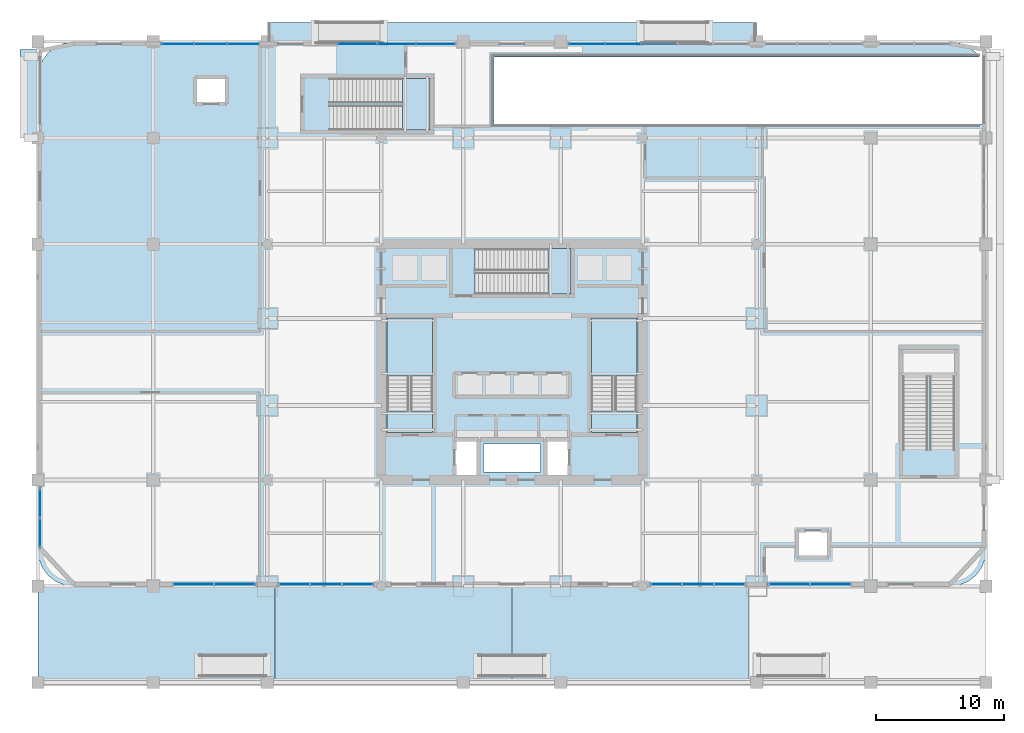
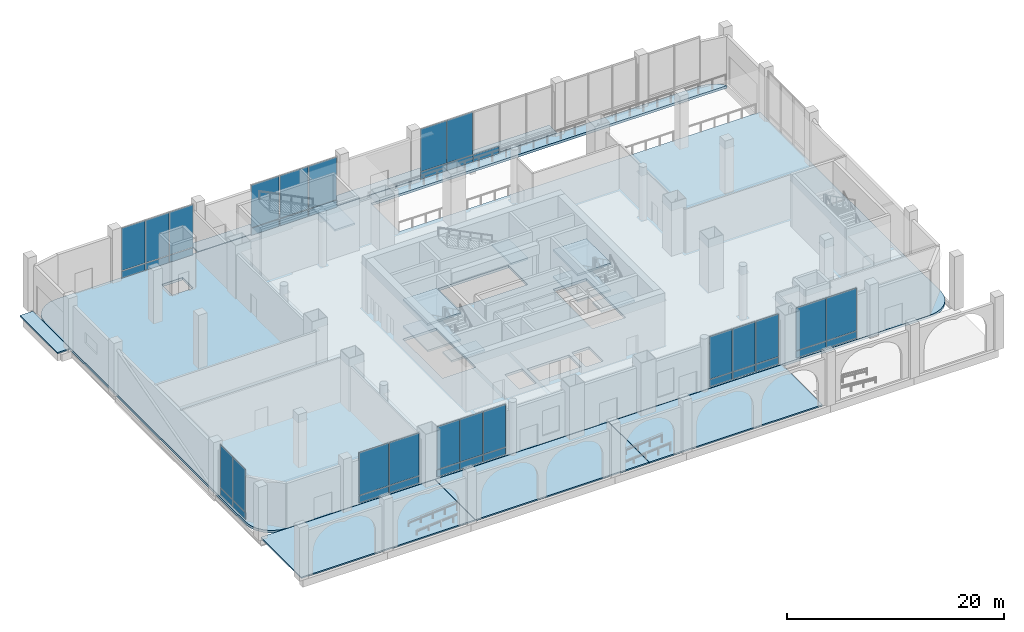
# One storey, part 17 of 32: 41 plates, 14 slabs, 12 elements without a shape of their own.
"""IFC4 building model written with IfcOpenShell, lengths in metres."""

from ifc_helpers import new_model, si_unit, direction, frame, origin, origin_2d, place, context, subcontext, project, spatial, polyline, rectangle, outline, extrude, material, layer, layer_set, type_object, element, aggregate, save


model = new_model("IFC4")

# Units and contexts
model_context = context("Model", 3, precision=1e-05, world=origin(), true_north=direction((0.0, 1.0)))
body_context = subcontext(model_context, "Body", "Model", "MODEL_VIEW")
ifc_project = project(units=[si_unit("LENGTHUNIT", "METRE"), si_unit("AREAUNIT", "SQUARE_METRE"), si_unit("VOLUMEUNIT", "CUBIC_METRE"), si_unit("PLANEANGLEUNIT", "RADIAN"), si_unit("MASSUNIT", "GRAM", prefix="KILO")], contexts=[model_context])

# Site, building, storey
site_placement = place(None, origin())
site = spatial("IfcSite", under=ifc_project, at=site_placement, CompositionType="ELEMENT")
building_placement = place(site_placement, origin())
building = spatial("IfcBuilding", under=site, at=building_placement, Name="Punatoya Terracotta Tower", CompositionType="ELEMENT")
storey_placement = place(building_placement, origin())
storey = spatial("IfcBuildingStorey", under=building, at=storey_placement, Name="L00", CompositionType="ELEMENT", Elevation=0.0)

# Curtain wall, plates
ifc_material_1 = material(Name="Aluminium 6063-T6 + Double Low-E Glass", Category="aluminium")
curtain_wall_type = type_object("IfcCurtainWallType", Name="CW-POD", PredefinedType="NOTDEFINED", material=ifc_material_1)
curtain_wall_1_placement = place(storey_placement, origin())
curtain_wall_1 = element("IfcCurtainWall", 1, at=curtain_wall_1_placement, inside=storey, type_object=curtain_wall_type, Name="L00 Curtain Wall CWP-L00-S1A", PredefinedType="NOTDEFINED")
ifc_material_2 = material(Name="Double Low-E Clear Vision Glass", Category="glass")
ifc_layer_1 = layer(ifc_material_2, 0.028076171875)
ifc_layer_set_1 = layer_set([ifc_layer_1], Name="Double Low-E Clear Vision Glass")
plate_type_1 = type_object("IfcPlateType", Name="PLT-GLZ-28", PredefinedType="CURTAIN_PANEL", material=ifc_layer_set_1)
plate_1_placement = place(storey_placement, frame((-24.875, -17.340087890625, 0.889892578125), z_axis=(0.0, 0.0, 1.0), x_axis=(1.0, 0.0, 0.0)))
plate_1 = element("IfcPlate", 2, at=plate_1_placement, type_object=plate_type_1, Name="CWP-L00-S1A Vision Glass Panel 1", PredefinedType="CURTAIN_PANEL", context=body_context, shape_type="SweptSolid", body=[
    extrude(rectangle(XDim=3.1650390625, YDim=0.028076171875, at=origin_2d()), origin(), (0.0, 0.0, 1.0), 4.7900390625),
])
plate_2_placement = place(storey_placement, frame((-21.625, -17.340087890625, 0.889892578125), z_axis=(0.0, 0.0, 1.0), x_axis=(1.0, 0.0, 0.0)))
plate_2 = element("IfcPlate", 3, at=plate_2_placement, type_object=plate_type_1, Name="CWP-L00-S1A Vision Glass Panel 2", PredefinedType="CURTAIN_PANEL", context=body_context, shape_type="SweptSolid", body=[
    extrude(rectangle(XDim=3.1650390625, YDim=0.028076171875, at=origin_2d()), origin(), (0.0, 0.0, 1.0), 4.7900390625),
])

curtain_wall_2_placement = place(storey_placement, origin())
curtain_wall_2 = element("IfcCurtainWall", 4, at=curtain_wall_2_placement, inside=storey, type_object=curtain_wall_type, Name="L00 Curtain Wall CWP-L00-S1B", PredefinedType="NOTDEFINED")
plate_3_placement = place(storey_placement, frame((-16.966796875, -17.340087890625, 0.889892578125), z_axis=(0.0, 0.0, 1.0), x_axis=(1.0, 0.0, 0.0)))
plate_3 = element("IfcPlate", 5, at=plate_3_placement, type_object=plate_type_1, Name="CWP-L00-S1B Vision Glass Panel 1", PredefinedType="CURTAIN_PANEL", context=body_context, shape_type="SweptSolid", body=[
    extrude(rectangle(XDim=2.381591796875, YDim=0.028076171875, at=origin_2d()), origin(), (0.0, 0.0, 1.0), 4.7900390625),
])
plate_4_placement = place(storey_placement, frame((-14.5, -17.340087890625, 0.889892578125), z_axis=(0.0, 0.0, 1.0), x_axis=(1.0, 0.0, 0.0)))
plate_4 = element("IfcPlate", 6, at=plate_4_placement, type_object=plate_type_1, Name="CWP-L00-S1B Vision Glass Panel 2", PredefinedType="CURTAIN_PANEL", context=body_context, shape_type="SweptSolid", body=[
    extrude(rectangle(XDim=2.381591796875, YDim=0.028076171875, at=origin_2d()), origin(), (0.0, 0.0, 1.0), 4.7900390625),
])
plate_5_placement = place(storey_placement, frame((-12.033203125, -17.340087890625, 0.889892578125), z_axis=(0.0, 0.0, 1.0), x_axis=(1.0, 0.0, 0.0)))
plate_5 = element("IfcPlate", 7, at=plate_5_placement, type_object=plate_type_1, Name="CWP-L00-S1B Vision Glass Panel 3", PredefinedType="CURTAIN_PANEL", context=body_context, shape_type="SweptSolid", body=[
    extrude(rectangle(XDim=2.381591796875, YDim=0.028076171875, at=origin_2d()), origin(), (0.0, 0.0, 1.0), 4.7900390625),
])

curtain_wall_3_placement = place(storey_placement, origin())
curtain_wall_3 = element("IfcCurtainWall", 8, at=curtain_wall_3_placement, inside=storey, type_object=curtain_wall_type, Name="L00 Curtain Wall CWP-L00-S2A", PredefinedType="NOTDEFINED")
plate_6_placement = place(storey_placement, frame((12.033203125, -17.340087890625, 0.889892578125), z_axis=(0.0, 0.0, 1.0), x_axis=(1.0, 0.0, 0.0)))
plate_6 = element("IfcPlate", 9, at=plate_6_placement, type_object=plate_type_1, Name="CWP-L00-S2A Vision Glass Panel 1", PredefinedType="CURTAIN_PANEL", context=body_context, shape_type="SweptSolid", body=[
    extrude(rectangle(XDim=2.381591796875, YDim=0.028076171875, at=origin_2d()), origin(), (0.0, 0.0, 1.0), 4.7900390625),
])
plate_7_placement = place(storey_placement, frame((14.5, -17.340087890625, 0.889892578125), z_axis=(0.0, 0.0, 1.0), x_axis=(1.0, 0.0, 0.0)))
plate_7 = element("IfcPlate", 10, at=plate_7_placement, type_object=plate_type_1, Name="CWP-L00-S2A Vision Glass Panel 2", PredefinedType="CURTAIN_PANEL", context=body_context, shape_type="SweptSolid", body=[
    extrude(rectangle(XDim=2.381591796875, YDim=0.028076171875, at=origin_2d()), origin(), (0.0, 0.0, 1.0), 4.7900390625),
])
plate_8_placement = place(storey_placement, frame((16.966796875, -17.340087890625, 0.889892578125), z_axis=(0.0, 0.0, 1.0), x_axis=(1.0, 0.0, 0.0)))
plate_8 = element("IfcPlate", 11, at=plate_8_placement, type_object=plate_type_1, Name="CWP-L00-S2A Vision Glass Panel 3", PredefinedType="CURTAIN_PANEL", context=body_context, shape_type="SweptSolid", body=[
    extrude(rectangle(XDim=2.381591796875, YDim=0.028076171875, at=origin_2d()), origin(), (0.0, 0.0, 1.0), 4.7900390625),
])

curtain_wall_4_placement = place(storey_placement, origin())
curtain_wall_4 = element("IfcCurtainWall", 12, at=curtain_wall_4_placement, inside=storey, type_object=curtain_wall_type, Name="L00 Curtain Wall CWP-L00-S2B", PredefinedType="NOTDEFINED")
plate_9_placement = place(storey_placement, frame((21.625, -17.340087890625, 0.889892578125), z_axis=(0.0, 0.0, 1.0), x_axis=(1.0, 0.0, 0.0)))
plate_9 = element("IfcPlate", 13, at=plate_9_placement, type_object=plate_type_1, Name="CWP-L00-S2B Vision Glass Panel 1", PredefinedType="CURTAIN_PANEL", context=body_context, shape_type="SweptSolid", body=[
    extrude(rectangle(XDim=3.1650390625, YDim=0.028076171875, at=origin_2d()), origin(), (0.0, 0.0, 1.0), 4.7900390625),
])
plate_10_placement = place(storey_placement, frame((24.875, -17.340087890625, 0.889892578125), z_axis=(0.0, 0.0, 1.0), x_axis=(1.0, 0.0, 0.0)))
plate_10 = element("IfcPlate", 14, at=plate_10_placement, type_object=plate_type_1, Name="CWP-L00-S2B Vision Glass Panel 2", PredefinedType="CURTAIN_PANEL", context=body_context, shape_type="SweptSolid", body=[
    extrude(rectangle(XDim=3.1650390625, YDim=0.028076171875, at=origin_2d()), origin(), (0.0, 0.0, 1.0), 4.7900390625),
])

curtain_wall_5_placement = place(storey_placement, origin())
curtain_wall_5 = element("IfcCurtainWall", 15, at=curtain_wall_5_placement, inside=storey, type_object=curtain_wall_type, Name="L00 Curtain Wall CWP-L00-N1A", PredefinedType="NOTDEFINED")
plate_11_placement = place(storey_placement, frame((-26.103271484375, 24.840087890625, 0.889892578125), z_axis=(0.0, 0.0, 1.0), x_axis=(1.0, 0.0, 0.0)))
plate_11 = element("IfcPlate", 16, at=plate_11_placement, type_object=plate_type_1, Name="CWP-L00-N1A Vision Glass Panel 1", PredefinedType="CURTAIN_PANEL", context=body_context, shape_type="SweptSolid", body=[
    extrude(rectangle(XDim=2.46826171875, YDim=0.028076171875, at=origin_2d()), origin(), (0.0, 0.0, 1.0), 4.7900390625),
])
plate_12_placement = place(storey_placement, frame((-23.550048828125, 24.840087890625, 0.889892578125), z_axis=(0.0, 0.0, 1.0), x_axis=(1.0, 0.0, 0.0)))
plate_12 = element("IfcPlate", 17, at=plate_12_placement, type_object=plate_type_1, Name="CWP-L00-N1A Vision Glass Panel 2", PredefinedType="CURTAIN_PANEL", context=body_context, shape_type="SweptSolid", body=[
    extrude(rectangle(XDim=2.46826171875, YDim=0.028076171875, at=origin_2d()), origin(), (0.0, 0.0, 1.0), 4.7900390625),
])
plate_13_placement = place(storey_placement, frame((-20.99658203125, 24.840087890625, 0.889892578125), z_axis=(0.0, 0.0, 1.0), x_axis=(1.0, 0.0, 0.0)))
plate_13 = element("IfcPlate", 18, at=plate_13_placement, type_object=plate_type_1, Name="CWP-L00-N1A Vision Glass Panel 3", PredefinedType="CURTAIN_PANEL", context=body_context, shape_type="SweptSolid", body=[
    extrude(rectangle(XDim=2.46826171875, YDim=0.028076171875, at=origin_2d()), origin(), (0.0, 0.0, 1.0), 4.7900390625),
])

curtain_wall_6_placement = place(storey_placement, origin())
curtain_wall_6 = element("IfcCurtainWall", 19, at=curtain_wall_6_placement, inside=storey, type_object=curtain_wall_type, Name="L00 Curtain Wall CWP-L00-N1B", PredefinedType="NOTDEFINED")
plate_14_placement = place(storey_placement, frame((-12.070068359375, 24.840087890625, 0.889892578125), z_axis=(0.0, 0.0, 1.0), x_axis=(1.0, 0.0, 0.0)))
plate_14 = element("IfcPlate", 20, at=plate_14_placement, type_object=plate_type_1, Name="CWP-L00-N1B Vision Glass Panel 1", PredefinedType="CURTAIN_PANEL", context=body_context, shape_type="SweptSolid", body=[
    extrude(rectangle(XDim=2.97509765625, YDim=0.028076171875, at=origin_2d()), origin(), (0.0, 0.0, 1.0), 4.7900390625),
])
plate_15_placement = place(storey_placement, frame((-9.010009765625, 24.840087890625, 0.889892578125), z_axis=(0.0, 0.0, 1.0), x_axis=(1.0, 0.0, 0.0)))
plate_15 = element("IfcPlate", 21, at=plate_15_placement, type_object=plate_type_1, Name="CWP-L00-N1B Vision Glass Panel 2", PredefinedType="CURTAIN_PANEL", context=body_context, shape_type="SweptSolid", body=[
    extrude(rectangle(XDim=2.97509765625, YDim=0.028076171875, at=origin_2d()), origin(), (0.0, 0.0, 1.0), 4.7900390625),
])
plate_16_placement = place(storey_placement, frame((-5.949951171875, 24.840087890625, 0.889892578125), z_axis=(0.0, 0.0, 1.0), x_axis=(1.0, 0.0, 0.0)))
plate_16 = element("IfcPlate", 22, at=plate_16_placement, type_object=plate_type_1, Name="CWP-L00-N1B Vision Glass Panel 3", PredefinedType="CURTAIN_PANEL", context=body_context, shape_type="SweptSolid", body=[
    extrude(rectangle(XDim=2.97509765625, YDim=0.028076171875, at=origin_2d()), origin(), (0.0, 0.0, 1.0), 4.7900390625),
])

curtain_wall_7_placement = place(storey_placement, origin())
curtain_wall_7 = element("IfcCurtainWall", 23, at=curtain_wall_7_placement, inside=storey, type_object=curtain_wall_type, Name="L00 Curtain Wall CWP-L00-N2-1", PredefinedType="NOTDEFINED")
plate_17_placement = place(storey_placement, frame((5.825927734375, 24.840087890625, 0.889892578125), z_axis=(0.0, 0.0, 1.0), x_axis=(1.0, 0.0, 0.0)))
plate_17 = element("IfcPlate", 24, at=plate_17_placement, type_object=plate_type_1, Name="CWP-L00-N2-1 Vision Glass Panel 1", PredefinedType="CURTAIN_PANEL", context=body_context, shape_type="SweptSolid", body=[
    extrude(rectangle(XDim=2.72705078125, YDim=0.028076171875, at=origin_2d()), origin(), (0.0, 0.0, 1.0), 4.7900390625),
])
plate_18_placement = place(storey_placement, frame((8.637939453125, 24.840087890625, 0.889892578125), z_axis=(0.0, 0.0, 1.0), x_axis=(1.0, 0.0, 0.0)))
plate_18 = element("IfcPlate", 25, at=plate_18_placement, type_object=plate_type_1, Name="CWP-L00-N2-1 Vision Glass Panel 2", PredefinedType="CURTAIN_PANEL", context=body_context, shape_type="SweptSolid", body=[
    extrude(rectangle(XDim=2.72705078125, YDim=0.028076171875, at=origin_2d()), origin(), (0.0, 0.0, 1.0), 4.7900390625),
])

curtain_wall_8_placement = place(storey_placement, origin())
curtain_wall_8 = element("IfcCurtainWall", 26, at=curtain_wall_8_placement, inside=storey, type_object=curtain_wall_type, Name="L00 Curtain Wall CWP-L00-W1", PredefinedType="NOTDEFINED")
plate_19_placement = place(storey_placement, frame((-36.840087890625, -13.330078125, 0.889892578125), z_axis=(0.0, 0.0, 1.0), x_axis=(0.0, 1.0, 0.0)))
plate_19 = element("IfcPlate", 27, at=plate_19_placement, type_object=plate_type_1, Name="CWP-L00-W1 Vision Glass Panel 1", PredefinedType="CURTAIN_PANEL", context=body_context, shape_type="SweptSolid", body=[
    extrude(rectangle(XDim=2.2548828125, YDim=0.028076171875, at=origin_2d()), origin(), (0.0, 0.0, 1.0), 4.7900390625),
])
plate_20_placement = place(storey_placement, frame((-36.840087890625, -10.989990234375, 0.889892578125), z_axis=(0.0, 0.0, 1.0), x_axis=(0.0, 1.0, 0.0)))
plate_20 = element("IfcPlate", 28, at=plate_20_placement, type_object=plate_type_1, Name="CWP-L00-W1 Vision Glass Panel 2", PredefinedType="CURTAIN_PANEL", context=body_context, shape_type="SweptSolid", body=[
    extrude(rectangle(XDim=2.2548828125, YDim=0.028076171875, at=origin_2d()), origin(), (0.0, 0.0, 1.0), 4.7900390625),
])

# Plate
ifc_material_3 = material(Name="Insulated Terracotta-Backed Spandrel Panel", Category="masonry")
ifc_layer_2 = layer(ifc_material_3, 0.044921875)
ifc_layer_set_2 = layer_set([ifc_layer_2], Name="Insulated Terracotta-Backed Spandrel Panel")
plate_type_2 = type_object("IfcPlateType", Name="PLT-SPN-45", PredefinedType="CURTAIN_PANEL", material=ifc_layer_set_2)
plate_21_placement = place(storey_placement, frame((-24.875, -17.340087890625, 0.0400390625), z_axis=(0.0, 0.0, 1.0), x_axis=(1.0, 0.0, 0.0)))
plate_21 = element("IfcPlate", 29, at=plate_21_placement, type_object=plate_type_2, Name="CWP-L00-S1A Terracotta Spandrel Panel 1", PredefinedType="CURTAIN_PANEL", context=body_context, shape_type="SweptSolid", body=[
    extrude(rectangle(XDim=3.1650390625, YDim=0.044921875, at=origin_2d()), origin(), (0.0, 0.0, 1.0), 0.77490234375),
])

plate_22_placement = place(storey_placement, frame((-21.625, -17.340087890625, 0.0400390625), z_axis=(0.0, 0.0, 1.0), x_axis=(1.0, 0.0, 0.0)))
plate_22 = element("IfcPlate", 30, at=plate_22_placement, type_object=plate_type_2, Name="CWP-L00-S1A Terracotta Spandrel Panel 2", PredefinedType="CURTAIN_PANEL", context=body_context, shape_type="SweptSolid", body=[
    extrude(rectangle(XDim=3.1650390625, YDim=0.044921875, at=origin_2d()), origin(), (0.0, 0.0, 1.0), 0.77490234375),
])

aggregate(curtain_wall_1, [plate_21, plate_1, plate_22, plate_2])

plate_23_placement = place(storey_placement, frame((-16.966796875, -17.340087890625, 0.0400390625), z_axis=(0.0, 0.0, 1.0), x_axis=(1.0, 0.0, 0.0)))
plate_23 = element("IfcPlate", 31, at=plate_23_placement, type_object=plate_type_2, Name="CWP-L00-S1B Terracotta Spandrel Panel 1", PredefinedType="CURTAIN_PANEL", context=body_context, shape_type="SweptSolid", body=[
    extrude(rectangle(XDim=2.381591796875, YDim=0.044921875, at=origin_2d()), origin(), (0.0, 0.0, 1.0), 0.77490234375),
])

plate_24_placement = place(storey_placement, frame((-14.5, -17.340087890625, 0.0400390625), z_axis=(0.0, 0.0, 1.0), x_axis=(1.0, 0.0, 0.0)))
plate_24 = element("IfcPlate", 32, at=plate_24_placement, type_object=plate_type_2, Name="CWP-L00-S1B Terracotta Spandrel Panel 2", PredefinedType="CURTAIN_PANEL", context=body_context, shape_type="SweptSolid", body=[
    extrude(rectangle(XDim=2.381591796875, YDim=0.044921875, at=origin_2d()), origin(), (0.0, 0.0, 1.0), 0.77490234375),
])

plate_25_placement = place(storey_placement, frame((-12.033203125, -17.340087890625, 0.0400390625), z_axis=(0.0, 0.0, 1.0), x_axis=(1.0, 0.0, 0.0)))
plate_25 = element("IfcPlate", 33, at=plate_25_placement, type_object=plate_type_2, Name="CWP-L00-S1B Terracotta Spandrel Panel 3", PredefinedType="CURTAIN_PANEL", context=body_context, shape_type="SweptSolid", body=[
    extrude(rectangle(XDim=2.381591796875, YDim=0.044921875, at=origin_2d()), origin(), (0.0, 0.0, 1.0), 0.77490234375),
])

aggregate(curtain_wall_2, [plate_23, plate_3, plate_24, plate_4, plate_25, plate_5])

plate_26_placement = place(storey_placement, frame((12.033203125, -17.340087890625, 0.0400390625), z_axis=(0.0, 0.0, 1.0), x_axis=(1.0, 0.0, 0.0)))
plate_26 = element("IfcPlate", 34, at=plate_26_placement, type_object=plate_type_2, Name="CWP-L00-S2A Terracotta Spandrel Panel 1", PredefinedType="CURTAIN_PANEL", context=body_context, shape_type="SweptSolid", body=[
    extrude(rectangle(XDim=2.381591796875, YDim=0.044921875, at=origin_2d()), origin(), (0.0, 0.0, 1.0), 0.77490234375),
])

plate_27_placement = place(storey_placement, frame((14.5, -17.340087890625, 0.0400390625), z_axis=(0.0, 0.0, 1.0), x_axis=(1.0, 0.0, 0.0)))
plate_27 = element("IfcPlate", 35, at=plate_27_placement, type_object=plate_type_2, Name="CWP-L00-S2A Terracotta Spandrel Panel 2", PredefinedType="CURTAIN_PANEL", context=body_context, shape_type="SweptSolid", body=[
    extrude(rectangle(XDim=2.381591796875, YDim=0.044921875, at=origin_2d()), origin(), (0.0, 0.0, 1.0), 0.77490234375),
])

plate_28_placement = place(storey_placement, frame((16.966796875, -17.340087890625, 0.0400390625), z_axis=(0.0, 0.0, 1.0), x_axis=(1.0, 0.0, 0.0)))
plate_28 = element("IfcPlate", 36, at=plate_28_placement, type_object=plate_type_2, Name="CWP-L00-S2A Terracotta Spandrel Panel 3", PredefinedType="CURTAIN_PANEL", context=body_context, shape_type="SweptSolid", body=[
    extrude(rectangle(XDim=2.381591796875, YDim=0.044921875, at=origin_2d()), origin(), (0.0, 0.0, 1.0), 0.77490234375),
])

aggregate(curtain_wall_3, [plate_26, plate_6, plate_27, plate_7, plate_28, plate_8])

plate_29_placement = place(storey_placement, frame((21.625, -17.340087890625, 0.0400390625), z_axis=(0.0, 0.0, 1.0), x_axis=(1.0, 0.0, 0.0)))
plate_29 = element("IfcPlate", 37, at=plate_29_placement, type_object=plate_type_2, Name="CWP-L00-S2B Terracotta Spandrel Panel 1", PredefinedType="CURTAIN_PANEL", context=body_context, shape_type="SweptSolid", body=[
    extrude(rectangle(XDim=3.1650390625, YDim=0.044921875, at=origin_2d()), origin(), (0.0, 0.0, 1.0), 0.77490234375),
])

plate_30_placement = place(storey_placement, frame((24.875, -17.340087890625, 0.0400390625), z_axis=(0.0, 0.0, 1.0), x_axis=(1.0, 0.0, 0.0)))
plate_30 = element("IfcPlate", 38, at=plate_30_placement, type_object=plate_type_2, Name="CWP-L00-S2B Terracotta Spandrel Panel 2", PredefinedType="CURTAIN_PANEL", context=body_context, shape_type="SweptSolid", body=[
    extrude(rectangle(XDim=3.1650390625, YDim=0.044921875, at=origin_2d()), origin(), (0.0, 0.0, 1.0), 0.77490234375),
])

aggregate(curtain_wall_4, [plate_29, plate_9, plate_30, plate_10])

plate_31_placement = place(storey_placement, frame((-26.103271484375, 24.840087890625, 0.0400390625), z_axis=(0.0, 0.0, 1.0), x_axis=(1.0, 0.0, 0.0)))
plate_31 = element("IfcPlate", 39, at=plate_31_placement, type_object=plate_type_2, Name="CWP-L00-N1A Terracotta Spandrel Panel 1", PredefinedType="CURTAIN_PANEL", context=body_context, shape_type="SweptSolid", body=[
    extrude(rectangle(XDim=2.46826171875, YDim=0.044921875, at=origin_2d()), origin(), (0.0, 0.0, 1.0), 0.77490234375),
])

plate_32_placement = place(storey_placement, frame((-23.550048828125, 24.840087890625, 0.0400390625), z_axis=(0.0, 0.0, 1.0), x_axis=(1.0, 0.0, 0.0)))
plate_32 = element("IfcPlate", 40, at=plate_32_placement, type_object=plate_type_2, Name="CWP-L00-N1A Terracotta Spandrel Panel 2", PredefinedType="CURTAIN_PANEL", context=body_context, shape_type="SweptSolid", body=[
    extrude(rectangle(XDim=2.46826171875, YDim=0.044921875, at=origin_2d()), origin(), (0.0, 0.0, 1.0), 0.77490234375),
])

plate_33_placement = place(storey_placement, frame((-20.99658203125, 24.840087890625, 0.0400390625), z_axis=(0.0, 0.0, 1.0), x_axis=(1.0, 0.0, 0.0)))
plate_33 = element("IfcPlate", 41, at=plate_33_placement, type_object=plate_type_2, Name="CWP-L00-N1A Terracotta Spandrel Panel 3", PredefinedType="CURTAIN_PANEL", context=body_context, shape_type="SweptSolid", body=[
    extrude(rectangle(XDim=2.46826171875, YDim=0.044921875, at=origin_2d()), origin(), (0.0, 0.0, 1.0), 0.77490234375),
])

aggregate(curtain_wall_5, [plate_31, plate_11, plate_32, plate_12, plate_33, plate_13])

plate_34_placement = place(storey_placement, frame((-12.070068359375, 24.840087890625, 0.0400390625), z_axis=(0.0, 0.0, 1.0), x_axis=(1.0, 0.0, 0.0)))
plate_34 = element("IfcPlate", 42, at=plate_34_placement, type_object=plate_type_2, Name="CWP-L00-N1B Terracotta Spandrel Panel 1", PredefinedType="CURTAIN_PANEL", context=body_context, shape_type="SweptSolid", body=[
    extrude(rectangle(XDim=2.97509765625, YDim=0.044921875, at=origin_2d()), origin(), (0.0, 0.0, 1.0), 0.77490234375),
])

plate_35_placement = place(storey_placement, frame((-9.010009765625, 24.840087890625, 0.0400390625), z_axis=(0.0, 0.0, 1.0), x_axis=(1.0, 0.0, 0.0)))
plate_35 = element("IfcPlate", 43, at=plate_35_placement, type_object=plate_type_2, Name="CWP-L00-N1B Terracotta Spandrel Panel 2", PredefinedType="CURTAIN_PANEL", context=body_context, shape_type="SweptSolid", body=[
    extrude(rectangle(XDim=2.97509765625, YDim=0.044921875, at=origin_2d()), origin(), (0.0, 0.0, 1.0), 0.77490234375),
])

plate_36_placement = place(storey_placement, frame((-5.949951171875, 24.840087890625, 0.0400390625), z_axis=(0.0, 0.0, 1.0), x_axis=(1.0, 0.0, 0.0)))
plate_36 = element("IfcPlate", 44, at=plate_36_placement, type_object=plate_type_2, Name="CWP-L00-N1B Terracotta Spandrel Panel 3", PredefinedType="CURTAIN_PANEL", context=body_context, shape_type="SweptSolid", body=[
    extrude(rectangle(XDim=2.97509765625, YDim=0.044921875, at=origin_2d()), origin(), (0.0, 0.0, 1.0), 0.77490234375),
])

aggregate(curtain_wall_6, [plate_34, plate_14, plate_35, plate_15, plate_36, plate_16])

plate_37_placement = place(storey_placement, frame((5.825927734375, 24.840087890625, 0.0400390625), z_axis=(0.0, 0.0, 1.0), x_axis=(1.0, 0.0, 0.0)))
plate_37 = element("IfcPlate", 45, at=plate_37_placement, type_object=plate_type_2, Name="CWP-L00-N2-1 Terracotta Spandrel Panel 1", PredefinedType="CURTAIN_PANEL", context=body_context, shape_type="SweptSolid", body=[
    extrude(rectangle(XDim=2.72705078125, YDim=0.044921875, at=origin_2d()), origin(), (0.0, 0.0, 1.0), 0.77490234375),
])

plate_38_placement = place(storey_placement, frame((8.637939453125, 24.840087890625, 0.0400390625), z_axis=(0.0, 0.0, 1.0), x_axis=(1.0, 0.0, 0.0)))
plate_38 = element("IfcPlate", 46, at=plate_38_placement, type_object=plate_type_2, Name="CWP-L00-N2-1 Terracotta Spandrel Panel 2", PredefinedType="CURTAIN_PANEL", context=body_context, shape_type="SweptSolid", body=[
    extrude(rectangle(XDim=2.72705078125, YDim=0.044921875, at=origin_2d()), origin(), (0.0, 0.0, 1.0), 0.77490234375),
])

plate_39_placement = place(storey_placement, frame((11.449951171875, 24.840087890625, 0.0400390625), z_axis=(0.0, 0.0, 1.0), x_axis=(1.0, 0.0, 0.0)))
plate_39 = element("IfcPlate", 47, at=plate_39_placement, type_object=plate_type_2, Name="CWP-L00-N2-1 Terracotta Spandrel Panel 3", PredefinedType="CURTAIN_PANEL", context=body_context, shape_type="SweptSolid", body=[
    extrude(rectangle(XDim=2.72705078125, YDim=0.044921875, at=origin_2d()), origin(), (0.0, 0.0, 1.0), 0.77490234375),
])

aggregate(curtain_wall_7, [plate_37, plate_17, plate_38, plate_18, plate_39])

plate_40_placement = place(storey_placement, frame((-36.840087890625, -13.330078125, 0.0400390625), z_axis=(0.0, 0.0, 1.0), x_axis=(0.0, 1.0, 0.0)))
plate_40 = element("IfcPlate", 48, at=plate_40_placement, type_object=plate_type_2, Name="CWP-L00-W1 Terracotta Spandrel Panel 1", PredefinedType="CURTAIN_PANEL", context=body_context, shape_type="SweptSolid", body=[
    extrude(rectangle(XDim=2.2548828125, YDim=0.044921875, at=origin_2d()), origin(), (0.0, 0.0, 1.0), 0.77490234375),
])

plate_41_placement = place(storey_placement, frame((-36.840087890625, -10.989990234375, 0.0400390625), z_axis=(0.0, 0.0, 1.0), x_axis=(0.0, 1.0, 0.0)))
plate_41 = element("IfcPlate", 49, at=plate_41_placement, type_object=plate_type_2, Name="CWP-L00-W1 Terracotta Spandrel Panel 2", PredefinedType="CURTAIN_PANEL", context=body_context, shape_type="SweptSolid", body=[
    extrude(rectangle(XDim=2.2548828125, YDim=0.044921875, at=origin_2d()), origin(), (0.0, 0.0, 1.0), 0.77490234375),
])

aggregate(curtain_wall_8, [plate_40, plate_19, plate_41, plate_20])

# Stair, slab
ifc_material_4 = material(Name="Concrete C40/50", Category="concrete")
stair_type_1 = type_object("IfcStairType", Name="STR-TER-1450", PredefinedType="HALF_TURN_STAIR", material=ifc_material_4)
stair_1_placement = place(storey_placement, origin())
stair_1 = element("IfcStair", 50, at=stair_1_placement, inside=storey, type_object=stair_type_1, Name="L00 Protected Core Exit Stair ST-3", PredefinedType="HALF_TURN_STAIR")
ifc_layer_3 = layer(ifc_material_4, 0.1650390625)
ifc_layer_set_3 = layer_set([ifc_layer_3], Name="Concrete C40/50")
slab_type_1 = type_object("IfcSlabType", Name="SLB-LND-165", PredefinedType="LANDING", material=ifc_layer_set_3)
slab_1_placement = place(storey_placement, frame((0.0, 0.0, 2.800048828125)))
slab_1 = element("IfcSlab", 51, at=slab_1_placement, type_object=slab_type_1, Name="ST-3 landing 1", PredefinedType="LANDING", context=body_context, shape_type="SweptSolid", body=[
    extrude(outline(polyline([(2.800048828125, 5.300048828125), (4.60009765625, 5.300048828125), (4.60009765625, 8.85009765625), (2.800048828125, 8.85009765625), (2.800048828125, 5.300048828125)])), origin(), (0.0, 0.0, 1.0), 0.199951171875),
])
aggregate(stair_1, [slab_1])

# Stair, slabs
stair_type_2 = type_object("IfcStairType", Name="STR-CORE-1550", PredefinedType="HALF_TURN_STAIR", material=ifc_material_4)
stair_2_placement = place(storey_placement, origin())
stair_2 = element("IfcStair", 52, at=stair_2_placement, inside=storey, type_object=stair_type_2, Name="L00 Protected Core Exit Stair ST-1", PredefinedType="HALF_TURN_STAIR")
ifc_layer_4 = layer(ifc_material_4, 0.179931640625)
ifc_layer_set_4 = layer_set([ifc_layer_4], Name="Concrete C40/50")
slab_type_2 = type_object("IfcSlabType", Name="SLB-LND-180", PredefinedType="LANDING", material=ifc_layer_set_4)
slab_2_placement = place(storey_placement, frame((0.0, 0.0, 1.300048828125)))
slab_2 = element("IfcSlab", 53, at=slab_2_placement, type_object=slab_type_2, Name="ST-1 landing 1", PredefinedType="LANDING", context=body_context, shape_type="SweptSolid", body=[
    extrude(outline(polyline([(-6.199951171875, -1.10009765625), (-6.199951171875, 3.449951171875), (-9.75, 3.449951171875), (-9.75, -1.10009765625), (-6.199951171875, -1.10009765625)])), origin(), (0.0, 0.0, 1.0), 0.199951171875),
])
slab_3_placement = place(storey_placement, frame((0.0, 0.0, 2.800048828125)))
slab_3 = element("IfcSlab", 54, at=slab_3_placement, type_object=slab_type_2, Name="ST-1 landing 2", PredefinedType="LANDING", context=body_context, shape_type="SweptSolid", body=[
    extrude(outline(polyline([(-6.199951171875, -5.5), (-6.199951171875, -3.800048828125), (-9.75, -3.800048828125), (-9.75, -5.5), (-6.199951171875, -5.5)])), origin(), (0.0, 0.0, 1.0), 0.199951171875),
])
slab_4_placement = place(storey_placement, frame((0.0, 0.0, 4.300048828125)))
slab_4 = element("IfcSlab", 55, at=slab_4_placement, type_object=slab_type_2, Name="ST-1 landing 3", PredefinedType="LANDING", context=body_context, shape_type="SweptSolid", body=[
    extrude(outline(polyline([(-6.199951171875, -1.10009765625), (-6.199951171875, 3.449951171875), (-9.75, 3.449951171875), (-9.75, -1.10009765625), (-6.199951171875, -1.10009765625)])), origin(), (0.0, 0.0, 1.0), 0.199951171875),
])
aggregate(stair_2, [slab_2, slab_3, slab_4])

stair_type_3 = type_object("IfcStairType", Name="STR-LOB-1650", PredefinedType="HALF_TURN_STAIR", material=ifc_material_4)
stair_3_placement = place(storey_placement, origin())
stair_3 = element("IfcStair", 56, at=stair_3_placement, inside=storey, type_object=stair_type_3, Name="L00 Protected Core Exit Stair ST-2", PredefinedType="HALF_TURN_STAIR")
slab_5_placement = place(storey_placement, frame((0.0, 0.0, 1.300048828125)))
slab_5 = element("IfcSlab", 57, at=slab_5_placement, type_object=slab_type_2, Name="ST-2 landing 1", PredefinedType="LANDING", context=body_context, shape_type="SweptSolid", body=[
    extrude(outline(polyline([(9.75, -1.10009765625), (9.75, 3.449951171875), (6.199951171875, 3.449951171875), (6.199951171875, -1.10009765625), (9.75, -1.10009765625)])), origin(), (0.0, 0.0, 1.0), 0.199951171875),
])
slab_6_placement = place(storey_placement, frame((0.0, 0.0, 2.800048828125)))
slab_6 = element("IfcSlab", 58, at=slab_6_placement, type_object=slab_type_2, Name="ST-2 landing 2", PredefinedType="LANDING", context=body_context, shape_type="SweptSolid", body=[
    extrude(outline(polyline([(9.75, -5.5), (9.75, -3.800048828125), (6.199951171875, -3.800048828125), (6.199951171875, -5.5), (9.75, -5.5)])), origin(), (0.0, 0.0, 1.0), 0.199951171875),
])
slab_7_placement = place(storey_placement, frame((0.0, 0.0, 4.300048828125)))
slab_7 = element("IfcSlab", 59, at=slab_7_placement, type_object=slab_type_2, Name="ST-2 landing 3", PredefinedType="LANDING", context=body_context, shape_type="SweptSolid", body=[
    extrude(outline(polyline([(9.75, -1.10009765625), (9.75, 3.449951171875), (6.199951171875, 3.449951171875), (6.199951171875, -1.10009765625), (9.75, -1.10009765625)])), origin(), (0.0, 0.0, 1.0), 0.199951171875),
])
aggregate(stair_3, [slab_5, slab_6, slab_7])

# Stair, slab
stair_type_4 = type_object("IfcStairType", Name="STR-POD-1800", PredefinedType="HALF_TURN_STAIR", material=ifc_material_4)
stair_4_placement = place(storey_placement, origin())
stair_4 = element("IfcStair", 60, at=stair_4_placement, inside=storey, type_object=stair_type_4, Name="L00 Podium North-West Exit Stair ST-P1", PredefinedType="HALF_TURN_STAIR")
slab_8_placement = place(storey_placement, frame((0.0, 0.0, 2.800048828125)))
slab_8 = element("IfcSlab", 61, at=slab_8_placement, type_object=slab_type_2, Name="ST-P1 landing 1", PredefinedType="LANDING", context=body_context, shape_type="SweptSolid", body=[
    extrude(outline(polyline([(-8.550048828125, 18.10009765625), (-6.39990234375, 18.10009765625), (-6.39990234375, 22.14990234375), (-8.550048828125, 22.14990234375), (-8.550048828125, 18.10009765625)])), origin(), (0.0, 0.0, 1.0), 0.199951171875),
])
aggregate(stair_4, [slab_8])

# Slabs
ifc_layer_5 = layer(ifc_material_4, 0.14990234375)
ifc_layer_set_5 = layer_set([ifc_layer_5], Name="Concrete C40/50")
slab_type_3 = type_object("IfcSlabType", Name="SLB-PAV-150", PredefinedType="USERDEFINED", material=ifc_layer_set_5)
slab_9_placement = place(storey_placement, frame((0.0, 0.0, -0.14990234375)))
element("IfcSlab", 62, at=slab_9_placement, inside=storey, type_object=slab_type_3, Name="Charbagh West Waterfront Promenade", ObjectType="PAVING", PredefinedType="USERDEFINED", context=body_context, shape_type="SweptSolid", body=[
    extrude(outline(polyline([(-37.0, -25.0), (-18.5, -25.0), (-18.5, -17.5400390625), (-37.0, -17.5400390625), (-37.0, -25.0)])), origin(), (0.0, 0.0, 1.0), 0.14990234375),
])
slab_10_placement = place(storey_placement, frame((0.0, 0.0, -0.14990234375)))
element("IfcSlab", 63, at=slab_10_placement, inside=storey, type_object=slab_type_3, Name="Charbagh Central-West Canal Terrace", ObjectType="PAVING", PredefinedType="USERDEFINED", context=body_context, shape_type="SweptSolid", body=[
    extrude(outline(polyline([(-18.4599609375, -25.0), (-0.02001953125, -25.0), (-0.02001953125, -17.5400390625), (-18.4599609375, -17.5400390625), (-18.4599609375, -25.0)])), origin(), (0.0, 0.0, 1.0), 0.14990234375),
])
slab_11_placement = place(storey_placement, frame((0.0, 0.0, -0.14990234375)))
element("IfcSlab", 64, at=slab_11_placement, inside=storey, type_object=slab_type_3, Name="Charbagh Central-East Canal Terrace", ObjectType="PAVING", PredefinedType="USERDEFINED", context=body_context, shape_type="SweptSolid", body=[
    extrude(outline(polyline([(0.02001953125, -25.0), (18.4599609375, -25.0), (18.4599609375, -17.5400390625), (0.02001953125, -17.5400390625), (0.02001953125, -25.0)])), origin(), (0.0, 0.0, 1.0), 0.14990234375),
])
slab_12_placement = place(storey_placement, frame((0.0, 0.0, -0.14990234375)))
element("IfcSlab", 65, at=slab_12_placement, inside=storey, type_object=slab_type_3, Name="West Service Yard Paving Apron", ObjectType="PAVING", PredefinedType="USERDEFINED", context=body_context, shape_type="SweptSolid", body=[
    extrude(outline(polyline([(-38.39990234375, 17.5), (-37.0400390625, 17.5), (-37.0400390625, 24.39990234375), (-38.39990234375, 24.39990234375), (-38.39990234375, 17.5)])), origin(), (0.0, 0.0, 1.0), 0.14990234375),
])
slab_13_placement = place(storey_placement, frame((0.0, 0.0, -0.14990234375)))
element("IfcSlab", 66, at=slab_13_placement, inside=storey, type_object=slab_type_3, Name="North Avenue Drop-Off Forecourt Paving", ObjectType="PAVING", PredefinedType="USERDEFINED", context=body_context, shape_type="SweptSolid", body=[
    extrude(outline(polyline([(-19.10009765625, 25.0400390625), (19.10009765625, 25.0400390625), (19.10009765625, 26.5), (-19.10009765625, 26.5), (-19.10009765625, 25.0400390625)])), origin(), (0.0, 0.0, 1.0), 0.14990234375),
])
ifc_layer_6 = layer(ifc_material_4, 0.280029296875)
ifc_layer_set_6 = layer_set([ifc_layer_6], Name="Concrete C40/50")
slab_type_4 = type_object("IfcSlabType", Name="SLB-POD-280", PredefinedType="FLOOR", material=ifc_layer_set_6)
slab_14_placement = place(storey_placement, frame((0.0, 0.0, -0.280029296875)))
element("IfcSlab", 67, at=slab_14_placement, inside=storey, type_object=slab_type_4, Name="L00 Structural Floor Slab", PredefinedType="FLOOR", context=body_context, shape_type="SweptSolid", body=[
    extrude(outline(polyline([(37.0, -14.699951171875), (36.904541015625, -15.4248046875), (36.625, -16.10009765625), (36.179931640625, -16.679931640625), (35.60009765625, -17.125), (34.9248046875, -17.404541015625), (34.199951171875, -17.5), (-34.199951171875, -17.5), (-34.9248046875, -17.404541015625), (-35.60009765625, -17.125), (-36.179931640625, -16.679931640625), (-36.625, -16.10009765625), (-36.904541015625, -15.4248046875), (-37.0, -14.699951171875), (-37.0, 22.199951171875), (-36.904541015625, 22.9248046875), (-36.625, 23.60009765625), (-36.179931640625, 24.179931640625), (-35.60009765625, 24.625), (-34.9248046875, 24.904541015625), (-34.199951171875, 25.0), (34.199951171875, 25.0), (34.9248046875, 24.904541015625), (35.60009765625, 24.625), (36.179931640625, 24.179931640625), (36.471435546875, 23.800048828125), (-1.39990234375, 23.800048828125), (-1.39990234375, 18.60009765625), (37.0, 18.60009765625), (37.0, -14.699951171875)]), holes=[polyline([(24.6201171875, -13.22998046875), (22.3798828125, -13.22998046875), (22.3798828125, -15.169921875), (24.6201171875, -15.169921875), (24.6201171875, -13.22998046875)]), polyline([(-2.6298828125, -6.179931640625), (-4.469970703125, -6.179931640625), (-4.469970703125, -8.820068359375), (-2.6298828125, -8.820068359375), (-2.6298828125, -6.179931640625)]), polyline([(-2.219970703125, -6.405029296875), (-2.219970703125, -8.594970703125), (-0.02001953125, -8.594970703125), (0.02001953125, -8.594970703125), (2.219970703125, -8.594970703125), (2.219970703125, -6.405029296875), (0.02001953125, -6.405029296875), (-0.02001953125, -6.405029296875), (-2.219970703125, -6.405029296875)]), polyline([(4.469970703125, -8.820068359375), (4.469970703125, -6.179931640625), (2.6298828125, -6.179931640625), (2.6298828125, -8.820068359375), (4.469970703125, -8.820068359375)]), polyline([(-9.75, 3.449951171875), (-9.75, -3.79931640625), (-6.199951171875, -3.79931640625), (-6.199951171875, 3.449951171875), (-9.75, 3.449951171875)]), polyline([(6.199951171875, 3.449951171875), (6.199951171875, -3.79931640625), (9.75, -3.79931640625), (9.75, 3.449951171875), (6.199951171875, 3.449951171875)]), polyline([(4.60009765625, 8.85009765625), (-2.899169921875, 8.85009765625), (-2.899169921875, 5.300048828125), (4.60009765625, 5.300048828125), (4.60009765625, 8.85009765625)]), polyline([(-22.3798828125, 20.22998046875), (-22.3798828125, 22.169921875), (-24.6201171875, 22.169921875), (-24.6201171875, 20.22998046875), (-22.3798828125, 20.22998046875)])]), origin(), (0.0, 0.0, 1.0), 0.280029296875),
])

save(model, "model.ifc")
